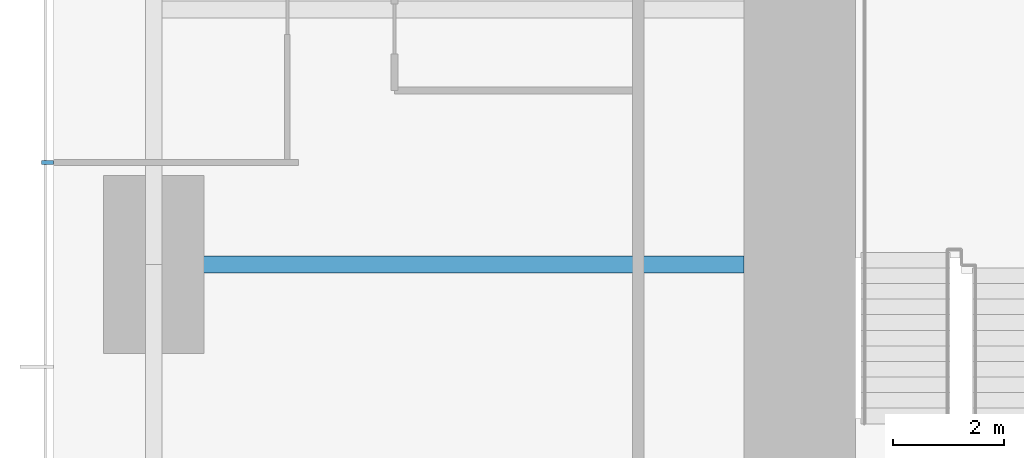
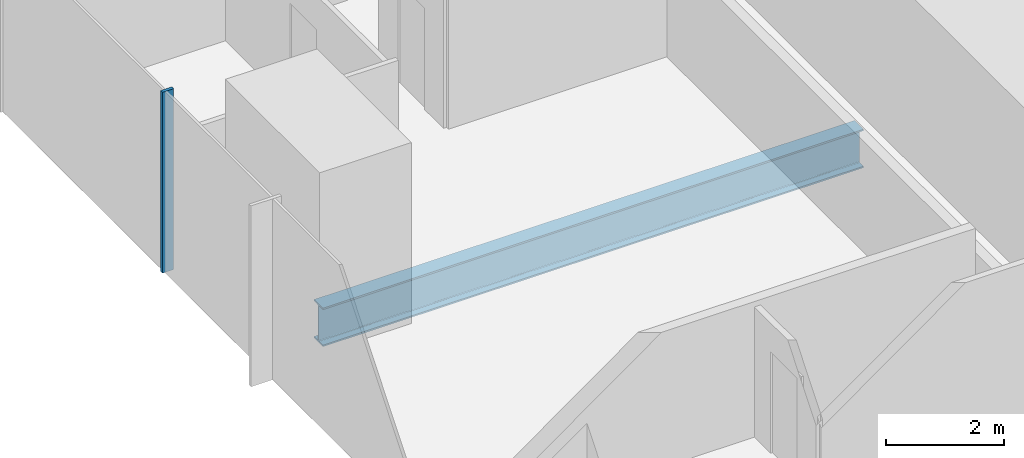
# One storey, part 3 of 13: 1 beam, 1 member, 1 element without a shape of its own.
"""IFC4 building model written with IfcOpenShell, lengths in metres."""

from ifc_helpers import new_model, si_unit, direction, frame, origin, origin_2d, place, context, subcontext, project, spatial, rectangle, i_section, extrude, material, material_profile, profile_set, type_object, element, aggregate, save


model = new_model("IFC4")

# Units and contexts
model_context = context("Model", 3, precision=1e-05, world=origin(), true_north=direction((0.0, 1.0)))
body_context = subcontext(model_context, "Body", "Model", "MODEL_VIEW")
ifc_project = project(units=[si_unit("LENGTHUNIT", "METRE"), si_unit("AREAUNIT", "SQUARE_METRE"), si_unit("VOLUMEUNIT", "CUBIC_METRE"), si_unit("PLANEANGLEUNIT", "RADIAN"), si_unit("MASSUNIT", "GRAM", prefix="KILO")], contexts=[model_context])

# Site, building, storey
site_placement = place(None, origin())
site = spatial("IfcSite", under=ifc_project, at=site_placement, CompositionType="ELEMENT")
building_placement = place(site_placement, origin())
building = spatial("IfcBuilding", under=site, at=building_placement, Name="Khuree Lantern Residences", CompositionType="ELEMENT")
storey_placement = place(building_placement, frame((0.0, 0.0, 129.75)))
storey = spatial("IfcBuildingStorey", under=building, at=storey_placement, Name="L32", CompositionType="ELEMENT", Elevation=129.75)

# Beam
ifc_material_1 = material(Name="Steel S355", Category="steel")
ifc_material_profile_1 = material_profile(ifc_material_1, i_section(OverallWidth=0.300048828125, OverallDepth=0.800048828125, WebThickness=0.017578125, FlangeThickness=0.032958984375, FilletRadius=0.030029296875, at=origin_2d()), Name="HE 800 B")
ifc_profile_set_1 = profile_set([ifc_material_profile_1], Name="Steel S355")
beam_type = type_object("IfcBeamType", Name="G-22 GIRDER HE 800 B", PredefinedType="BEAM", material=ifc_profile_set_1)
beam_placement = place(storey_placement, frame((-27.10009765625, 0.0, -0.64990234375), z_axis=(1.0, 0.0, 0.0), x_axis=(0.0, 1.0, 0.0)))
element("IfcBeam", 1, at=beam_placement, inside=storey, type_object=beam_type, Name="Girder W3", PredefinedType="BEAM", context=body_context, shape_type="SweptSolid", body=[
    extrude(i_section(OverallWidth=0.300048828125, OverallDepth=0.800048828125, WebThickness=0.017578125, FlangeThickness=0.032958984375, FilletRadius=0.030029296875, at=origin_2d()), origin(), (0.0, 0.0, 1.0), 10.60009765625),
])

# Curtain wall, member
ifc_material_2 = material(Name="Bronze anodised aluminium", Category="aluminium")
curtain_wall_type = type_object("IfcCurtainWallType", Name="CW-T1 TOWER FACE CURTAIN WALL", PredefinedType="USERDEFINED", material=ifc_material_2)
curtain_wall_placement = place(storey_placement, origin())
curtain_wall = element("IfcCurtainWall", 2, at=curtain_wall_placement, inside=storey, type_object=curtain_wall_type, Name="L32 WEST FACE CURTAIN WALL", ObjectType="Stick-built curtain wall", PredefinedType="USERDEFINED")
ifc_material_profile_2 = material_profile(ifc_material_2, rectangle(XDim=0.06494140625, YDim=0.219970703125, at=origin_2d()), Name="M1 65X220")
ifc_profile_set_2 = profile_set([ifc_material_profile_2], Name="Bronze anodised aluminium")
member_type = type_object("IfcMemberType", Name="M1 BRONZE MULLION TOWER 65X220", PredefinedType="MULLION", material=ifc_profile_set_2)
member_placement = place(storey_placement, frame((-29.010009765625, 1.83203125, 0.0), z_axis=(0.0, 0.0, 1.0), x_axis=(0.0, -1.0, 0.0)))
member = element("IfcMember", 3, at=member_placement, type_object=member_type, Name="L32 WEST FACE MULLION 37", PredefinedType="MULLION", context=body_context, shape_type="SweptSolid", body=[
    extrude(rectangle(XDim=0.06494140625, YDim=0.219970703125, at=origin_2d()), origin(), (0.0, 0.0, 1.0), 3.75),
])
aggregate(curtain_wall, [member])

save(model, "model.ifc")
